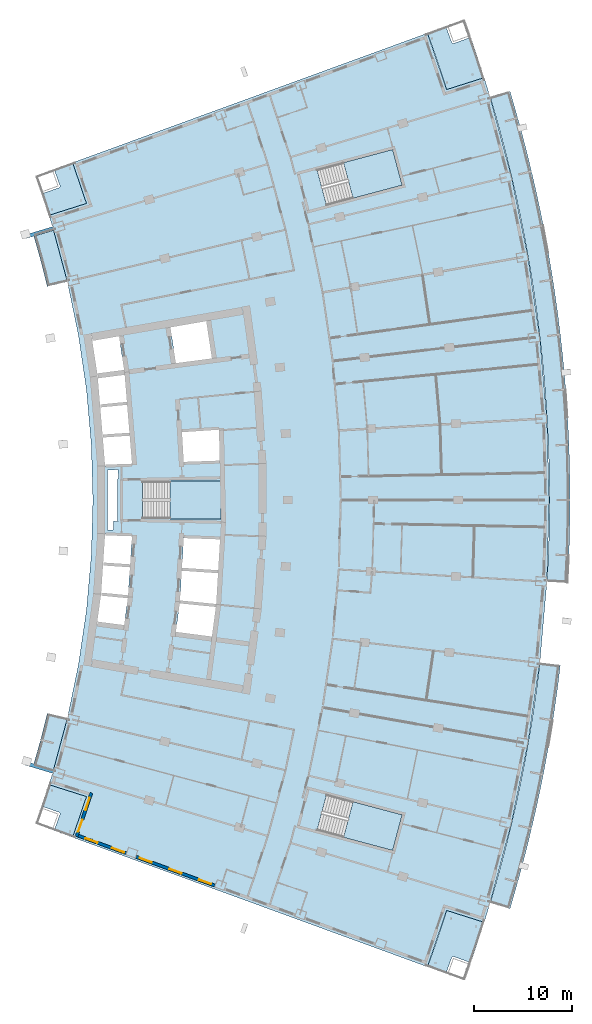
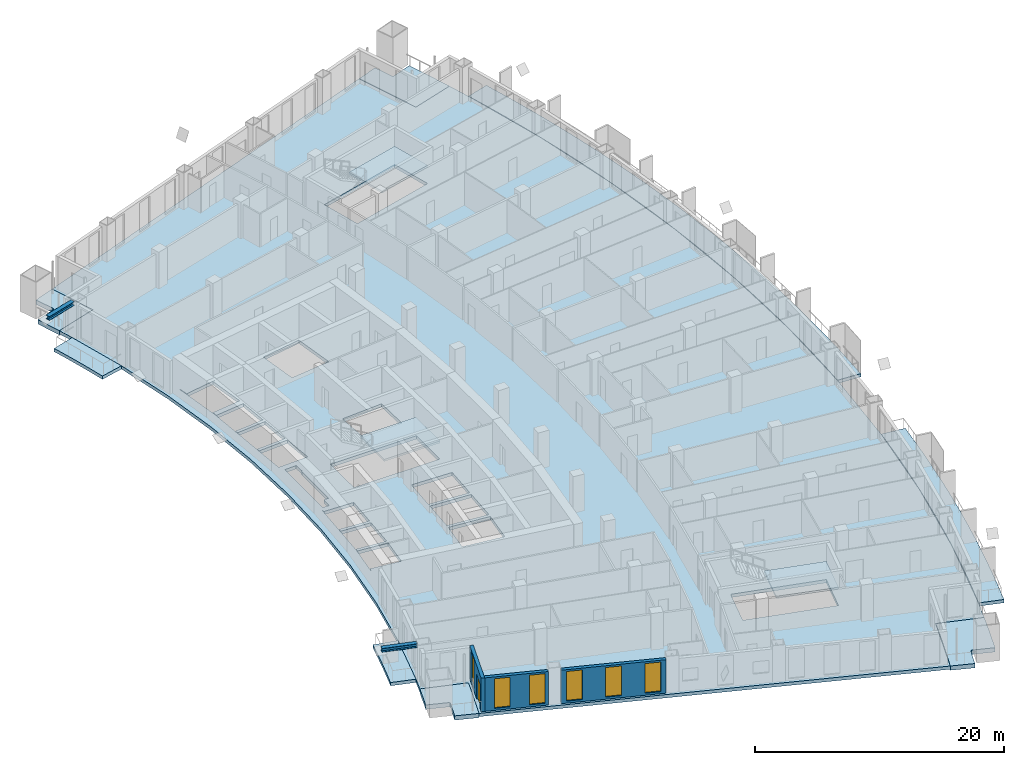
# One storey, part 12 of 25: 12 slabs, 6 windows, 3 walls, 2 members, 1 door, 7 openings, 3 elements without a shape of their own.
"""IFC4 building model written with IfcOpenShell, lengths in metres."""

from ifc_helpers import new_model, si_unit, direction, frame, frame_2d, origin, origin_2d, place, context, subcontext, project, spatial, polyline, rectangle, i_section, outline, extrude, material, layer, layer_set, material_profile, profile_set, type_object, element, fill, aggregate, save


model = new_model("IFC4")

# Units and contexts
model_context = context("Model", 3, precision=1e-05, world=origin(), true_north=direction((0.0, 1.0)))
body_context = subcontext(model_context, "Body", "Model", "MODEL_VIEW")
ifc_project = project(units=[si_unit("LENGTHUNIT", "METRE"), si_unit("AREAUNIT", "SQUARE_METRE"), si_unit("VOLUMEUNIT", "CUBIC_METRE"), si_unit("PLANEANGLEUNIT", "RADIAN"), si_unit("MASSUNIT", "GRAM", prefix="KILO")], contexts=[model_context])

# Site, building, storey
site_placement = place(None, origin())
site = spatial("IfcSite", under=ifc_project, at=site_placement, CompositionType="ELEMENT")
building_placement = place(site_placement, origin())
building = spatial("IfcBuilding", under=site, at=building_placement, Name="Alderwake Tower", CompositionType="ELEMENT")
storey_placement = place(building_placement, frame((0.0, 0.0, 89.60009765625)))
storey = spatial("IfcBuildingStorey", under=building, at=storey_placement, Name="L21", CompositionType="ELEMENT", Elevation=89.60009765625)

# Members
ifc_material_1 = material(Name="Steel ASTM A992 Grade 50", Category="steel")
ifc_material_profile = material_profile(ifc_material_1, i_section(OverallWidth=0.3740234375, OverallDepth=0.372314453125, WebThickness=0.016357421875, FlangeThickness=0.026123046875, at=origin_2d()), Name="W14X132")
ifc_profile_set = profile_set([ifc_material_profile], Name="Steel ASTM A992 Grade 50")
member_type = type_object("IfcMemberType", Name="Brace node stub W14X132", PredefinedType="MEMBER", material=ifc_profile_set)
for number, where, z_axis, x_axis, name in (
    (1, (12.017333984375, 33.373779296875, 3.393798828125), (-0.957773588871, 0.287523481584, 0.0), (-0.287523481584, -0.957773588871, 0.0), "Brace node stub BS.RR02-C0.932"),
    (2, (12.017333984375, 88.626220703125, 3.393798828125), (-0.957773588871, -0.287523481584, 0.0), (0.287523481584, -0.957773588871, 0.0), "Brace node stub BS.RR12-C0.932"),
):
    element("IfcMember", number, at=place(storey_placement, frame(where, z_axis=z_axis, x_axis=x_axis)), inside=storey, type_object=member_type, Name=name, PredefinedType="MEMBER", context=body_context, shape_type="SweptSolid", body=[
        extrude(i_section(OverallWidth=0.3740234375, OverallDepth=0.372314453125, WebThickness=0.016357421875, FlangeThickness=0.026123046875, at=origin_2d()), origin(), (0.0, 0.0, 1.0), 2.93359375),
    ])

# Slabs
ifc_material_2 = material(Name="Concrete C50/60", Category="concrete")
ifc_layer_1 = layer(ifc_material_2, 0.320068359375)
ifc_layer_set_1 = layer_set([ifc_layer_1], Name="Balcony slab 320")
slab_type_1 = type_object("IfcSlabType", Name="Balcony slab 320", PredefinedType="FLOOR", material=ifc_layer_set_1)
slab_1_placement = place(storey_placement, frame((0.0, 0.0, -0.320068359375)))
element("IfcSlab", 3, at=slab_1_placement, inside=storey, type_object=slab_type_1, Name="Balcony BF02", PredefinedType="FLOOR", context=body_context, shape_type="SweptSolid", body=[
    extrude(outline(polyline([(59.550048828125, 23.5029296875), (60.08203125, 25.5419921875), (60.584228515625, 27.58837890625), (61.056396484375, 29.64208984375), (61.498779296875, 31.702392578125), (61.910888671875, 33.76904296875), (62.29296875, 35.84130859375), (62.644775390625, 37.919189453125), (62.96630859375, 40.001708984375), (63.257080078125, 42.0888671875), (63.517578125, 44.179931640625), (61.431884765625, 44.42431640625), (61.17529296875, 42.363525390625), (60.888427734375, 40.306884765625), (60.57177734375, 38.25439453125), (60.22509765625, 36.20703125), (59.8486328125, 34.164794921875), (59.4423828125, 32.128173828125), (59.006591796875, 30.097900390625), (58.541015625, 28.073974609375), (58.046142578125, 26.05712890625), (57.52197265625, 24.0478515625), (56.968505859375, 22.04638671875), (56.385986328125, 20.052978515625), (58.397216796875, 19.44921875), (58.98828125, 21.4716796875), (59.550048828125, 23.5029296875)])), origin(), (0.0, 0.0, 1.0), 0.320068359375),
])
slab_2_placement = place(storey_placement, frame((0.0, 0.0, -0.320068359375)))
element("IfcSlab", 4, at=slab_2_placement, inside=storey, type_object=slab_type_1, Name="Balcony BF06", PredefinedType="FLOOR", context=body_context, shape_type="SweptSolid", body=[
    extrude(outline(polyline([(64.36181640625, 54.68017578125), (64.4384765625, 56.785888671875), (64.484619140625, 58.892822265625), (64.5, 61.0), (64.484619140625, 63.107177734375), (64.4384765625, 65.214111328125), (64.36181640625, 67.31982421875), (64.254150390625, 69.42431640625), (64.115966796875, 71.527099609375), (63.947265625, 73.627685546875), (63.747802734375, 75.725341796875), (63.517578125, 77.820068359375), (63.257080078125, 79.9111328125), (62.96630859375, 81.998291015625), (62.644775390625, 84.080810546875), (62.29296875, 86.15869140625), (61.910888671875, 88.23095703125), (61.498779296875, 90.297607421875), (61.056396484375, 92.35791015625), (60.584228515625, 94.41162109375), (60.08203125, 96.4580078125), (59.550048828125, 98.4970703125), (58.98828125, 100.5283203125), (58.397216796875, 102.55078125), (56.385986328125, 101.947021484375), (56.968505859375, 99.95361328125), (57.52197265625, 97.9521484375), (58.046142578125, 95.94287109375), (58.541015625, 93.926025390625), (59.006591796875, 91.902099609375), (59.4423828125, 89.871826171875), (59.8486328125, 87.835205078125), (60.22509765625, 85.79296875), (60.57177734375, 83.74560546875), (60.888427734375, 81.693115234375), (61.17529296875, 79.636474609375), (61.431884765625, 77.57568359375), (61.65869140625, 75.511474609375), (61.855224609375, 73.444091796875), (62.021484375, 71.3740234375), (62.15771484375, 69.302001953125), (62.263671875, 67.22802734375), (62.33935546875, 65.152587890625), (62.385009765625, 63.07666015625), (62.39990234375, 61.0), (62.385009765625, 58.92333984375), (62.33935546875, 56.847412109375), (62.263671875, 54.77197265625), (62.15771484375, 52.697998046875), (64.254150390625, 52.57568359375), (64.36181640625, 54.68017578125)])), origin(), (0.0, 0.0, 1.0), 0.320068359375),
])
slab_3_placement = place(storey_placement, frame((0.0, 0.0, -0.320068359375)))
element("IfcSlab", 5, at=slab_3_placement, inside=storey, type_object=slab_type_1, Name="Balcony BR02", PredefinedType="FLOOR", context=body_context, shape_type="SweptSolid", body=[
    extrude(outline(polyline([(9.93408203125, 33.999267578125), (11.945556640625, 33.395263671875), (13.3984375, 38.802734375), (11.35546875, 39.288330078125), (11.029052734375, 37.95849609375), (10.683349609375, 36.63330078125), (10.318359375, 35.3134765625), (9.93408203125, 33.999267578125)])), origin(), (0.0, 0.0, 1.0), 0.320068359375),
])
slab_4_placement = place(storey_placement, frame((0.0, 0.0, -0.320068359375)))
element("IfcSlab", 6, at=slab_4_placement, inside=storey, type_object=slab_type_1, Name="Balcony BR11", PredefinedType="FLOOR", context=body_context, shape_type="SweptSolid", body=[
    extrude(outline(polyline([(11.35546875, 82.711669921875), (13.3984375, 83.197265625), (11.945556640625, 88.604736328125), (9.93408203125, 88.000732421875), (10.318359375, 86.6865234375), (10.683349609375, 85.36669921875), (11.029052734375, 84.04150390625), (11.35546875, 82.711669921875)])), origin(), (0.0, 0.0, 1.0), 0.320068359375),
])
ifc_material_3 = material(Name="Concrete C50/60", Category="concrete")
ifc_layer_2 = layer(ifc_material_3, 0.320068359375)
ifc_layer_set_2 = layer_set([ifc_layer_2], Name="Concrete C50/60 post-tensioned flat plate 320")
slab_type_2 = type_object("IfcSlabType", Name="Concrete C50/60 post-tensioned flat plate 320", PredefinedType="FLOOR", material=ifc_layer_set_2)
slab_5_placement = place(storey_placement, frame((0.0, 0.0, -0.320068359375)))
element("IfcSlab", 7, at=slab_5_placement, inside=storey, type_object=slab_type_2, Name="Floor slab L21", PredefinedType="FLOOR", context=body_context, shape_type="SweptSolid", body=[
    extrude(outline(polyline([(11.533203125, 32.057373046875), (11.945556640625, 33.395263671875), (13.3984375, 38.802734375), (14.53369140625, 44.28564453125), (15.347412109375, 49.825439453125), (15.836669921875, 55.4033203125), (16.0, 61.0), (15.836669921875, 66.5966796875), (15.347412109375, 72.174560546875), (14.53369140625, 77.71435546875), (13.3984375, 83.197265625), (11.945556640625, 88.604736328125), (11.533203125, 89.942626953125), (15.34716796875, 91.1484375), (13.937255859375, 95.289794921875), (50.00927734375, 108.45703125), (51.96044921875, 102.7255859375), (55.774169921875, 103.931396484375), (56.385986328125, 101.947021484375), (58.541015625, 93.926025390625), (60.22509765625, 85.79296875), (61.431884765625, 77.57568359375), (62.15771484375, 69.302001953125), (62.39990234375, 61.0), (62.15771484375, 52.697998046875), (61.431884765625, 44.42431640625), (60.22509765625, 36.20703125), (58.541015625, 28.073974609375), (56.385986328125, 20.052978515625), (55.774169921875, 18.068603515625), (51.96044921875, 19.2744140625), (50.00927734375, 13.54296875), (13.937255859375, 26.710205078125), (15.34716796875, 30.8515625), (11.533203125, 32.057373046875)]), holes=[polyline([(16.84375, 51.279541015625), (16.8583984375, 51.4287109375), (16.873291015625, 51.577880859375), (19.574951171875, 51.31103515625), (19.76611328125, 54.161376953125), (17.0537109375, 54.34326171875), (17.06396484375, 54.492919921875), (17.073974609375, 54.642578125), (19.7861328125, 54.460693359375), (19.977294921875, 57.31103515625), (17.263916015625, 57.406982421875), (17.269287109375, 57.556884765625), (17.2392578125, 57.55810546875), (17.033935546875, 54.494873046875), (16.82861328125, 51.431640625), (16.82861328125, 51.431640625), (16.41015625, 48.39013671875), (16.43994140625, 48.38623046875), (16.472412109375, 48.63427734375), (19.18017578125, 48.280029296875), (19.545166015625, 51.012451171875), (16.84375, 51.279541015625)]), polyline([(29.0, 62.875), (21.050048828125, 62.875), (21.050048828125, 59.125), (29.0, 59.125), (29.0, 62.875)]), polyline([(19.738525390625, 67.5361328125), (17.02587890625, 67.354248046875), (17.015869140625, 67.50390625), (17.005859375, 67.653564453125), (19.7138671875, 67.835205078125), (19.47802734375, 70.679443359375), (16.777099609375, 70.41259765625), (16.76220703125, 70.561767578125), (16.74755859375, 70.7109375), (19.453125, 70.978515625), (19.2255859375, 73.725830078125), (16.541015625, 73.374755859375), (16.508544921875, 73.62255859375), (16.47607421875, 73.87060546875), (19.16796875, 74.22265625), (18.656982421875, 77.6376953125), (18.90283203125, 77.674560546875), (18.900146484375, 77.690673828125), (15.96826171875, 77.183837890625), (15.836669921875, 77.94482421875), (15.58544921875, 77.900390625), (15.586181640625, 77.896484375), (15.8154296875, 77.931884765625), (16.478515625, 73.61865234375), (16.47900390625, 73.61376953125), (16.732421875, 70.558837890625), (16.98583984375, 67.501953125), (17.239501953125, 64.4443359375), (17.239501953125, 64.44189453125), (17.269287109375, 64.443115234375), (17.263916015625, 64.593017578125), (19.974609375, 64.68896484375), (19.738525390625, 67.5361328125)]), polyline([(47.436279296875, 28.996826171875), (39.754150390625, 31.043212890625), (38.7890625, 27.41943359375), (46.47119140625, 25.373291015625), (47.436279296875, 28.996826171875)]), polyline([(24.82470703125, 50.49072265625), (24.8291015625, 50.534423828125), (24.825439453125, 50.534912109375), (24.43212890625, 47.59326171875), (28.095703125, 47.114013671875), (28.497802734375, 50.127685546875), (24.82470703125, 50.49072265625)]), polyline([(25.031005859375, 53.808349609375), (24.84521484375, 50.735595703125), (24.848876953125, 50.7353515625), (24.854248046875, 50.789306640625), (28.5341796875, 50.42578125), (28.719970703125, 53.56103515625), (25.031005859375, 53.808349609375)]), polyline([(28.92333984375, 56.994384765625), (25.2314453125, 57.125), (25.049072265625, 54.10791015625), (28.737548828125, 53.860595703125), (28.92333984375, 56.994384765625)]), polyline([(28.819091796875, 68.091552734375), (28.815673828125, 68.144775390625), (25.05126953125, 67.892333984375), (25.232177734375, 64.875), (28.887451171875, 65.00439453125), (28.819091796875, 68.091552734375)]), polyline([(28.09619140625, 75.390380859375), (27.523193359375, 79.181396484375), (23.877685546875, 78.551025390625), (24.427001953125, 74.915283203125), (24.368896484375, 74.90673828125), (24.36962890625, 74.90283203125), (28.09619140625, 75.390380859375)]), polyline([(46.47119140625, 96.626708984375), (38.7890625, 94.58056640625), (39.754150390625, 90.956787109375), (47.436279296875, 93.003173828125), (46.47119140625, 96.626708984375)]), polyline([(17.489501953125, 64.050537109375), (17.4892578125, 57.949462890625), (18.065673828125, 57.928955078125), (18.090576171875, 58.84326171875), (18.544189453125, 58.8310546875), (18.529296875, 58.8681640625), (18.5234375, 58.89208984375), (18.5185546875, 58.94091796875), (18.5185546875, 63.060302734375), (18.5234375, 63.109130859375), (18.53759765625, 63.156005859375), (18.560791015625, 63.19921875), (18.588623046875, 63.233642578125), (18.565185546875, 64.088623046875), (17.489501953125, 64.050537109375)])]), origin(), (0.0, 0.0, 1.0), 0.320068359375),
])

# Stair, slab
ifc_material_4 = material(Name="Concrete C40/50", Category="concrete")
stair_type = type_object("IfcStairType", Name="Core exit stair", PredefinedType="HALF_TURN_STAIR", material=ifc_material_4)
stair_1_placement = place(storey_placement, origin())
stair_1 = element("IfcStair", 8, at=stair_1_placement, inside=storey, type_object=stair_type, Name="L21 Exit Stair B", PredefinedType="HALF_TURN_STAIR")
ifc_material_5 = material(Name="Concrete C40/50", Category="concrete")
ifc_layer_3 = layer(ifc_material_5, 0.199951171875)
ifc_layer_set_3 = layer_set([ifc_layer_3], Name="Core stair landing 200")
slab_type_3 = type_object("IfcSlabType", Name="Core stair landing 200", PredefinedType="LANDING", material=ifc_layer_set_3)
slab_6_placement = place(storey_placement, frame((0.0, 0.0, 1.599853515625)))
slab_6 = element("IfcSlab", 9, at=slab_6_placement, type_object=slab_type_3, Name="ST-B landing 1", PredefinedType="LANDING", context=body_context, shape_type="SweptSolid", body=[
    extrude(outline(polyline([(23.830078125, 59.074951171875), (29.0, 59.074951171875), (29.0, 62.925048828125), (23.830078125, 62.925048828125), (23.830078125, 59.074951171875)])), origin(), (0.0, 0.0, 1.0), 0.199951171875),
])
aggregate(stair_1, [slab_6])

stair_2_placement = place(storey_placement, origin())
stair_2 = element("IfcStair", 10, at=stair_2_placement, inside=storey, type_object=stair_type, Name="L21 Exit Stair A", PredefinedType="HALF_TURN_STAIR")
slab_7_placement = place(storey_placement, frame((0.0, 0.0, 1.599853515625)))
slab_7 = element("IfcSlab", 11, at=slab_7_placement, type_object=slab_type_3, Name="ST-A landing 1", PredefinedType="LANDING", context=body_context, shape_type="SweptSolid", body=[
    extrude(outline(polyline([(42.440673828125, 91.67236328125), (47.436279296875, 93.003173828125), (46.47119140625, 96.626708984375), (41.475341796875, 95.296142578125), (42.440673828125, 91.67236328125)])), origin(), (0.0, 0.0, 1.0), 0.199951171875),
])
aggregate(stair_2, [slab_7])

stair_3_placement = place(storey_placement, origin())
stair_3 = element("IfcStair", 12, at=stair_3_placement, inside=storey, type_object=stair_type, Name="L21 Exit Stair C", PredefinedType="HALF_TURN_STAIR")
slab_8_placement = place(storey_placement, frame((0.0, 0.0, 1.599853515625)))
slab_8 = element("IfcSlab", 13, at=slab_8_placement, type_object=slab_type_3, Name="ST-C landing 1", PredefinedType="LANDING", context=body_context, shape_type="SweptSolid", body=[
    extrude(outline(polyline([(41.475341796875, 26.703857421875), (46.47119140625, 25.373291015625), (47.436279296875, 28.996826171875), (42.4404296875, 30.32763671875), (41.475341796875, 26.703857421875)])), origin(), (0.0, 0.0, 1.0), 0.199951171875),
])
aggregate(stair_3, [slab_8])

# Slabs
ifc_material_6 = material(Name="Concrete C50/60", Category="concrete")
ifc_layer_4 = layer(ifc_material_6, 0.419921875)
ifc_layer_set_4 = layer_set([ifc_layer_4], Name="Terrace slab 420")
slab_type_4 = type_object("IfcSlabType", Name="Terrace slab 420", PredefinedType="FLOOR", material=ifc_layer_set_4)
slab_9_placement = place(storey_placement, frame((0.0, 0.0, -0.420166015625)))
element("IfcSlab", 14, at=slab_9_placement, inside=storey, type_object=slab_type_4, Name="Corner terrace FS", PredefinedType="FLOOR", context=body_context, shape_type="SweptSolid", body=[
    extrude(outline(polyline([(54.464599609375, 14.127197265625), (54.406494140625, 13.964599609375), (52.6689453125, 14.586181640625), (52.65478515625, 14.590576171875), (52.640380859375, 14.593505859375), (52.625732421875, 14.5947265625), (52.611083984375, 14.5947265625), (52.596435546875, 14.593505859375), (52.58203125, 14.590576171875), (52.56787109375, 14.586181640625), (52.55419921875, 14.58056640625), (52.541259765625, 14.573486328125), (52.529052734375, 14.5654296875), (52.517578125, 14.55615234375), (52.50732421875, 14.545654296875), (52.498046875, 14.5341796875), (52.48974609375, 14.522216796875), (52.48291015625, 14.509033203125), (52.477294921875, 14.49560546875), (51.904296875, 12.89501953125), (51.900146484375, 12.880859375), (51.897216796875, 12.866455078125), (51.89599609375, 12.854248046875), (50.00927734375, 13.54296875), (50.6875, 15.44384765625), (51.337890625, 17.3544921875), (51.96044921875, 19.2744140625), (55.774169921875, 18.068603515625), (55.1337890625, 16.093017578125), (54.464599609375, 14.127197265625)])), origin(), (0.0, 0.0, 1.0), 0.420166015625),
])
slab_10_placement = place(storey_placement, frame((0.0, 0.0, -0.420166015625)))
element("IfcSlab", 15, at=slab_10_placement, inside=storey, type_object=slab_type_4, Name="Corner terrace RS", PredefinedType="FLOOR", context=body_context, shape_type="SweptSolid", body=[
    extrude(outline(polyline([(13.937255859375, 26.710205078125), (12.04931640625, 27.3994140625), (12.0537109375, 27.40380859375), (12.06298828125, 27.4150390625), (12.071044921875, 27.427490234375), (12.077880859375, 27.4404296875), (12.08349609375, 27.4541015625), (12.651611328125, 29.056396484375), (12.65576171875, 29.0703125), (12.65869140625, 29.084716796875), (12.66015625, 29.099609375), (12.659912109375, 29.1142578125), (12.658447265625, 29.12890625), (12.655517578125, 29.143310546875), (12.6513671875, 29.157470703125), (12.6455078125, 29.1708984375), (12.638671875, 29.183837890625), (12.63037109375, 29.196044921875), (12.62109375, 29.20751953125), (12.610595703125, 29.218017578125), (12.59912109375, 29.227294921875), (12.5869140625, 29.2353515625), (12.573974609375, 29.2421875), (12.560302734375, 29.247802734375), (10.8095703125, 29.868408203125), (11.101318359375, 30.7255859375), (11.533203125, 32.057373046875), (15.34716796875, 30.8515625), (13.937255859375, 26.710205078125)])), origin(), (0.0, 0.0, 1.0), 0.420166015625),
])
slab_11_placement = place(storey_placement, frame((0.0, 0.0, -0.420166015625)))
element("IfcSlab", 16, at=slab_11_placement, inside=storey, type_object=slab_type_4, Name="Corner terrace FN", PredefinedType="FLOOR", context=body_context, shape_type="SweptSolid", body=[
    extrude(outline(polyline([(54.464599609375, 107.872802734375), (55.1337890625, 105.906982421875), (55.774169921875, 103.931396484375), (51.96044921875, 102.7255859375), (51.337890625, 104.6455078125), (50.6875, 106.55615234375), (50.00927734375, 108.45703125), (51.89599609375, 109.145751953125), (51.897216796875, 109.133544921875), (51.900146484375, 109.119140625), (51.904296875, 109.10498046875), (52.477294921875, 107.50439453125), (52.48291015625, 107.490966796875), (52.48974609375, 107.477783203125), (52.498046875, 107.4658203125), (52.50732421875, 107.454345703125), (52.517578125, 107.44384765625), (52.529052734375, 107.4345703125), (52.541259765625, 107.426513671875), (52.55419921875, 107.41943359375), (52.56787109375, 107.413818359375), (52.58203125, 107.409423828125), (52.596435546875, 107.406494140625), (52.611083984375, 107.4052734375), (52.625732421875, 107.4052734375), (52.640380859375, 107.406494140625), (52.65478515625, 107.409423828125), (52.6689453125, 107.413818359375), (54.406494140625, 108.035400390625), (54.464599609375, 107.872802734375)])), origin(), (0.0, 0.0, 1.0), 0.420166015625),
])
slab_12_placement = place(storey_placement, frame((0.0, 0.0, -0.420166015625)))
element("IfcSlab", 17, at=slab_12_placement, inside=storey, type_object=slab_type_4, Name="Corner terrace RN", PredefinedType="FLOOR", context=body_context, shape_type="SweptSolid", body=[
    extrude(outline(polyline([(10.8095703125, 92.131591796875), (12.560302734375, 92.752197265625), (12.573974609375, 92.7578125), (12.5869140625, 92.7646484375), (12.59912109375, 92.772705078125), (12.610595703125, 92.781982421875), (12.62109375, 92.79248046875), (12.63037109375, 92.803955078125), (12.638671875, 92.816162109375), (12.6455078125, 92.8291015625), (12.6513671875, 92.842529296875), (12.655517578125, 92.856689453125), (12.658447265625, 92.87109375), (12.659912109375, 92.8857421875), (12.66015625, 92.900390625), (12.65869140625, 92.915283203125), (12.65576171875, 92.9296875), (12.651611328125, 92.943603515625), (12.08349609375, 94.5458984375), (12.077880859375, 94.5595703125), (12.071044921875, 94.572509765625), (12.06298828125, 94.5849609375), (12.0537109375, 94.59619140625), (12.04931640625, 94.6005859375), (13.937255859375, 95.289794921875), (15.34716796875, 91.1484375), (11.533203125, 89.942626953125), (11.101318359375, 91.2744140625), (10.8095703125, 92.131591796875)])), origin(), (0.0, 0.0, 1.0), 0.420166015625),
])

# Wall, openings, door, window
ifc_material_7 = material(Name="Bronze metal cladding on lightweight framing")
ifc_layer_5 = layer(ifc_material_7, 0.300048828125)
ifc_layer_set_5 = layer_set([ifc_layer_5], Name="External wall EW2 bronze metal cladding")
wall_type = type_object("IfcWallType", Name="External wall EW2 bronze metal cladding", PredefinedType="SOLIDWALL", material=ifc_layer_set_5)
wall_1_placement = place(storey_placement, frame((15.83740234375, 31.220703125, 0.0), z_axis=(0.0, 0.0, 1.0), x_axis=(-0.32041006121, -0.947278941324, 0.0)))
wall_1 = element("IfcWall", 18, at=wall_1_placement, inside=storey, type_object=wall_type, Name="External wall 3", PredefinedType="SOLIDWALL", context=body_context, shape_type="SweptSolid", body=[
    extrude(rectangle(XDim=4.68994140625, YDim=0.300048828125, at=frame_2d((2.344970703125, 0.0))), origin(), (0.0, 0.0, 1.0), 3.27978515625),
])
opening_1_placement = place(wall_1_placement, frame((0.5224609375, 0.0, 0.199951171875)))
opening_1 = element("IfcOpeningElement", 19, at=opening_1_placement, cuts=wall_1, Name="Opening W1", PredefinedType="OPENING", context=body_context, shape_type="SweptSolid", body=[
    extrude(rectangle(XDim=1.300048828125, YDim=2.89990234375, at=frame_2d((0.64990234375, 1.449951171875))), frame((0.0, 0.159912109375, 0.0), z_axis=(0.0, -1.0, 0.0), x_axis=(1.0, 0.0, 0.0)), (0.0, 0.0, 1.0), 0.320068359375),
])
opening_2_placement = place(wall_1_placement, frame((2.867431640625, 0.0, 0.0)))
opening_2 = element("IfcOpeningElement", 20, at=opening_2_placement, cuts=wall_1, Name="Opening D01", PredefinedType="OPENING", context=body_context, shape_type="SweptSolid", body=[
    extrude(rectangle(XDim=1.300048828125, YDim=2.39990234375, at=frame_2d((0.64990234375, 1.199951171875))), frame((0.0, 0.159912109375, 0.0), z_axis=(0.0, -1.0, 0.0), x_axis=(1.0, 0.0, 0.0)), (0.0, 0.0, 1.0), 0.320068359375),
])
ifc_material_8 = material(Name="Bronze tinted glass in aluminium frame", Category="aluminium")
door_type = type_object("IfcDoorType", Name="Balcony door BD sliding", OperationType="SLIDING_TO_LEFT", PredefinedType="DOOR", material=ifc_material_8)
door_placement = place(opening_2_placement, origin())
door = element("IfcDoor", 21, at=door_placement, inside=storey, type_object=door_type, Name="Door D01", OperationType="SLIDING_TO_LEFT", OverallHeight=2.39990234375, OverallWidth=1.300048828125, PredefinedType="DOOR", context=body_context, shape_type="SweptSolid", body=[
    extrude(rectangle(XDim=1.300048828125, YDim=2.39990234375, at=frame_2d((0.64990234375, 1.199951171875))), frame((0.0, 0.02490234375, 0.0), z_axis=(0.0, -1.0, 0.0), x_axis=(1.0, 0.0, 0.0)), (0.0, 0.0, 1.0), 0.050048828125),
])
fill(opening_2, door)
ifc_material_9 = material(Name="Bronze tinted glass in aluminium frame", Category="aluminium")
window_type = type_object("IfcWindowType", Name="Window W1 tall fixed and vent", PartitioningType="DOUBLE_PANEL_VERTICAL", PredefinedType="WINDOW", material=ifc_material_9)
window_1_placement = place(opening_1_placement, origin())
window_1 = element("IfcWindow", 22, at=window_1_placement, inside=storey, type_object=window_type, Name="Window W1 tall fixed and vent", OverallHeight=2.89990234375, OverallWidth=1.300048828125, PartitioningType="DOUBLE_PANEL_VERTICAL", PredefinedType="WINDOW", context=body_context, shape_type="SweptSolid", body=[
    extrude(rectangle(XDim=1.300048828125, YDim=2.89990234375, at=frame_2d((0.64990234375, 1.449951171875))), frame((0.0, 0.030029296875, 0.0), z_axis=(0.0, -1.0, 0.0), x_axis=(1.0, 0.0, 0.0)), (0.0, 0.0, 1.0), 0.06005859375),
])
fill(opening_1, window_1)

# Wall, openings, windows
wall_2_placement = place(storey_placement, frame((14.523681640625, 26.86865234375, 0.0), z_axis=(0.0, 0.0, 1.0), x_axis=(0.939378067131, -0.342883138974, 0.0)))
wall_2 = element("IfcWall", 23, at=wall_2_placement, inside=storey, type_object=wall_type, Name="External wall 4", PredefinedType="SOLIDWALL", context=body_context, shape_type="SweptSolid", body=[
    extrude(rectangle(XDim=5.17431640625, YDim=0.300048828125, at=frame_2d((2.587158203125, 0.0))), origin(), (0.0, 0.0, 1.0), 3.27978515625),
])
opening_3_placement = place(wall_2_placement, frame((0.775390625, 0.0, 0.199951171875)))
opening_3 = element("IfcOpeningElement", 24, at=opening_3_placement, cuts=wall_2, Name="Opening W1", PredefinedType="OPENING", context=body_context, shape_type="SweptSolid", body=[
    extrude(rectangle(XDim=1.300048828125, YDim=2.89990234375, at=frame_2d((0.64990234375, 1.449951171875))), frame((0.0, 0.159912109375, 0.0), z_axis=(0.0, -1.0, 0.0), x_axis=(1.0, 0.0, 0.0)), (0.0, 0.0, 1.0), 0.320068359375),
])
opening_4_placement = place(wall_2_placement, frame((3.626220703125, 0.0, 0.199951171875)))
opening_4 = element("IfcOpeningElement", 25, at=opening_4_placement, cuts=wall_2, Name="Opening W1", PredefinedType="OPENING", context=body_context, shape_type="SweptSolid", body=[
    extrude(rectangle(XDim=1.300048828125, YDim=2.89990234375, at=frame_2d((0.64990234375, 1.449951171875))), frame((0.0, 0.159912109375, 0.0), z_axis=(0.0, -1.0, 0.0), x_axis=(1.0, 0.0, 0.0)), (0.0, 0.0, 1.0), 0.320068359375),
])
window_2_placement = place(opening_3_placement, origin())
window_2 = element("IfcWindow", 26, at=window_2_placement, inside=storey, type_object=window_type, Name="Window W1 tall fixed and vent", OverallHeight=2.89990234375, OverallWidth=1.300048828125, PartitioningType="DOUBLE_PANEL_VERTICAL", PredefinedType="WINDOW", context=body_context, shape_type="SweptSolid", body=[
    extrude(rectangle(XDim=1.300048828125, YDim=2.89990234375, at=frame_2d((0.64990234375, 1.449951171875))), frame((0.0, 0.030029296875, 0.0), z_axis=(0.0, -1.0, 0.0), x_axis=(1.0, 0.0, 0.0)), (0.0, 0.0, 1.0), 0.06005859375),
])
fill(opening_3, window_2)
window_3_placement = place(opening_4_placement, origin())
window_3 = element("IfcWindow", 27, at=window_3_placement, inside=storey, type_object=window_type, Name="Window W1 tall fixed and vent", OverallHeight=2.89990234375, OverallWidth=1.300048828125, PartitioningType="DOUBLE_PANEL_VERTICAL", PredefinedType="WINDOW", context=body_context, shape_type="SweptSolid", body=[
    extrude(rectangle(XDim=1.300048828125, YDim=2.89990234375, at=frame_2d((0.64990234375, 1.449951171875))), frame((0.0, 0.030029296875, 0.0), z_axis=(0.0, -1.0, 0.0), x_axis=(1.0, 0.0, 0.0)), (0.0, 0.0, 1.0), 0.06005859375),
])
fill(opening_4, window_3)

wall_3_placement = place(storey_placement, frame((20.375244140625, 24.73291015625, 0.0), z_axis=(0.0, 0.0, 1.0), x_axis=(0.939364770023, -0.342919566137, 0.0)))
wall_3 = element("IfcWall", 28, at=wall_3_placement, inside=storey, type_object=wall_type, Name="External wall 5", PredefinedType="SOLIDWALL", context=body_context, shape_type="SweptSolid", body=[
    extrude(rectangle(XDim=8.54541015625, YDim=0.300048828125, at=frame_2d((4.272705078125, 0.0))), origin(), (0.0, 0.0, 1.0), 3.27978515625),
])
opening_5_placement = place(wall_3_placement, frame((0.422607421875, 0.0, 0.199951171875)))
opening_5 = element("IfcOpeningElement", 29, at=opening_5_placement, cuts=wall_3, Name="Opening W1", PredefinedType="OPENING", context=body_context, shape_type="SweptSolid", body=[
    extrude(rectangle(XDim=1.300048828125, YDim=2.89990234375, at=frame_2d((0.64990234375, 1.449951171875))), frame((0.0, 0.159912109375, 0.0), z_axis=(0.0, -1.0, 0.0), x_axis=(1.0, 0.0, 0.0)), (0.0, 0.0, 1.0), 0.320068359375),
])
opening_6_placement = place(wall_3_placement, frame((3.622802734375, 0.0, 0.199951171875)))
opening_6 = element("IfcOpeningElement", 30, at=opening_6_placement, cuts=wall_3, Name="Opening W1", PredefinedType="OPENING", context=body_context, shape_type="SweptSolid", body=[
    extrude(rectangle(XDim=1.300048828125, YDim=2.89990234375, at=frame_2d((0.64990234375, 1.449951171875))), frame((0.0, 0.159912109375, 0.0), z_axis=(0.0, -1.0, 0.0), x_axis=(1.0, 0.0, 0.0)), (0.0, 0.0, 1.0), 0.320068359375),
])
opening_7_placement = place(wall_3_placement, frame((6.82275390625, 0.0, 0.199951171875)))
opening_7 = element("IfcOpeningElement", 31, at=opening_7_placement, cuts=wall_3, Name="Opening W1", PredefinedType="OPENING", context=body_context, shape_type="SweptSolid", body=[
    extrude(rectangle(XDim=1.300048828125, YDim=2.89990234375, at=frame_2d((0.64990234375, 1.449951171875))), frame((0.0, 0.159912109375, 0.0), z_axis=(0.0, -1.0, 0.0), x_axis=(1.0, 0.0, 0.0)), (0.0, 0.0, 1.0), 0.320068359375),
])
window_4_placement = place(opening_5_placement, origin())
window_4 = element("IfcWindow", 32, at=window_4_placement, inside=storey, type_object=window_type, Name="Window W1 tall fixed and vent", OverallHeight=2.89990234375, OverallWidth=1.300048828125, PartitioningType="DOUBLE_PANEL_VERTICAL", PredefinedType="WINDOW", context=body_context, shape_type="SweptSolid", body=[
    extrude(rectangle(XDim=1.300048828125, YDim=2.89990234375, at=frame_2d((0.64990234375, 1.449951171875))), frame((0.0, 0.030029296875, 0.0), z_axis=(0.0, -1.0, 0.0), x_axis=(1.0, 0.0, 0.0)), (0.0, 0.0, 1.0), 0.06005859375),
])
fill(opening_5, window_4)
window_5_placement = place(opening_6_placement, origin())
window_5 = element("IfcWindow", 33, at=window_5_placement, inside=storey, type_object=window_type, Name="Window W1 tall fixed and vent", OverallHeight=2.89990234375, OverallWidth=1.300048828125, PartitioningType="DOUBLE_PANEL_VERTICAL", PredefinedType="WINDOW", context=body_context, shape_type="SweptSolid", body=[
    extrude(rectangle(XDim=1.300048828125, YDim=2.89990234375, at=frame_2d((0.64990234375, 1.449951171875))), frame((0.0, 0.030029296875, 0.0), z_axis=(0.0, -1.0, 0.0), x_axis=(1.0, 0.0, 0.0)), (0.0, 0.0, 1.0), 0.06005859375),
])
fill(opening_6, window_5)
window_6_placement = place(opening_7_placement, origin())
window_6 = element("IfcWindow", 34, at=window_6_placement, inside=storey, type_object=window_type, Name="Window W1 tall fixed and vent", OverallHeight=2.89990234375, OverallWidth=1.300048828125, PartitioningType="DOUBLE_PANEL_VERTICAL", PredefinedType="WINDOW", context=body_context, shape_type="SweptSolid", body=[
    extrude(rectangle(XDim=1.300048828125, YDim=2.89990234375, at=frame_2d((0.64990234375, 1.449951171875))), frame((0.0, 0.030029296875, 0.0), z_axis=(0.0, -1.0, 0.0), x_axis=(1.0, 0.0, 0.0)), (0.0, 0.0, 1.0), 0.06005859375),
])
fill(opening_7, window_6)

save(model, "model.ifc")
